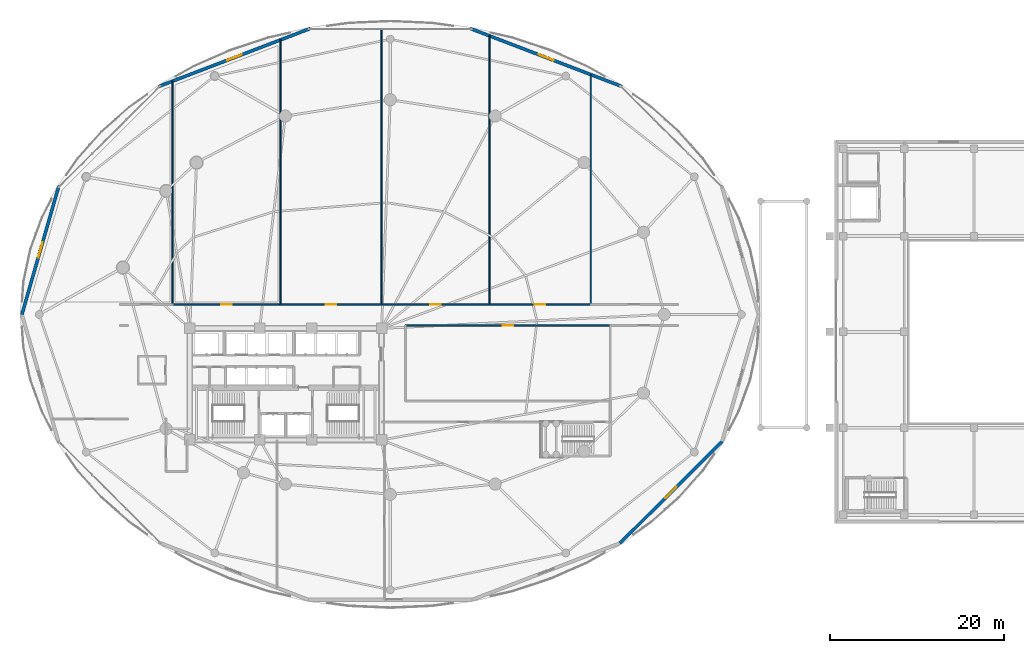
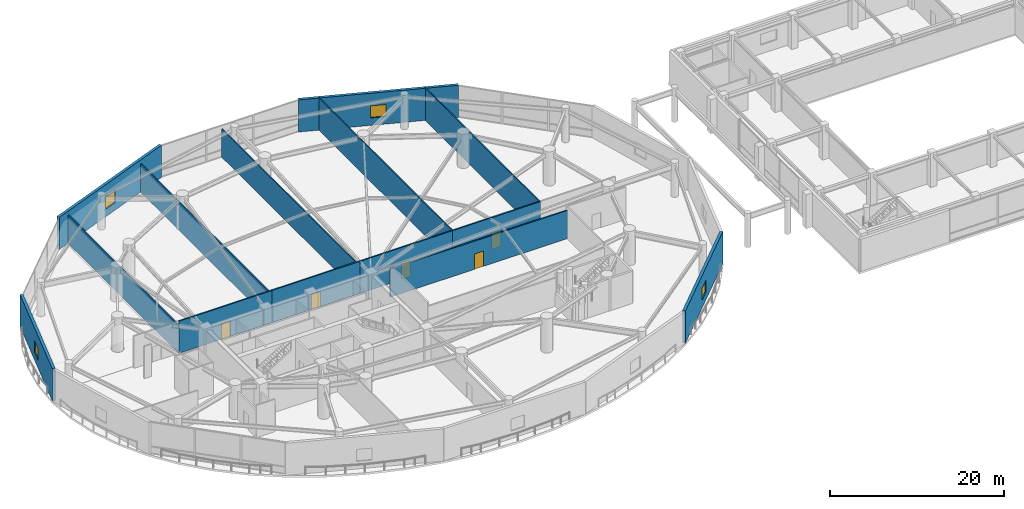
# One storey, part 29 of 40: 14 walls, 5 doors, 4 windows, 9 openings.
"""IFC4 building model written with IfcOpenShell, lengths in metres."""

import ifcopenshell
import ifcopenshell.guid

model = None  # the IFC model being written
_history = None  # IfcOwnerHistory: only IFC2X3 demands one
_inside = {}  # id of a spatial element -> (the spatial element, [elements in it])
_under = {}  # id of a project, library or spatial element -> (it, [spatial elements below it])
_declared = {}  # id of a project -> (the project, [libraries it declares])
_typed = {}  # id of a type object -> (the type object, [elements of that type])
_made_of = {}  # id of a material, layer set ... -> (it, [elements and type objects made of it])


def new_model(schema):
    """Start an empty IFC model of exactly this schema.

    Asked for "IFC4X3", IfcOpenShell would pick the latest addendum, in which some entities
    have other attributes; the version numbers below select the first issue.
    IFC2X3 requires an IfcOwnerHistory on every rooted entity: one is made here for all.
    """
    global model, _history
    if schema == "IFC4X3":
        model = ifcopenshell.file(schema_version=(4, 3, 0, 0))
    else:
        model = ifcopenshell.file(schema=schema)
    _inside.clear()
    _under.clear()
    _declared.clear()
    _typed.clear()
    _made_of.clear()
    _history = None
    if model.schema == "IFC2X3":
        org = make("IfcOrganization", Name="unknown")
        user = make(
            "IfcPersonAndOrganization",
            ThePerson=make("IfcPerson", FamilyName="unknown"),
            TheOrganization=org,
        )
        app = make(
            "IfcApplication",
            ApplicationDeveloper=org,
            Version="unknown",
            ApplicationFullName="unknown",
            ApplicationIdentifier="unknown",
        )
        _history = make(
            "IfcOwnerHistory",
            OwningUser=user,
            OwningApplication=app,
            ChangeAction="ADDED",
            CreationDate=0,
        )
    return model


def make(cls, **values):
    """One entity of the class cls with the attributes given. An attribute that is None is left unset."""
    return model.create_entity(
        cls, **{name: value for name, value in values.items() if value is not None}
    )


def rooted(cls, **values):
    """An entity with a GlobalId (a new one), such as an element, a storey or a relation."""
    return make(cls, GlobalId=ifcopenshell.guid.new(), OwnerHistory=_history, **values)


def si_unit(unit_type, name, prefix=None):
    """IfcSIUnit, for example si_unit("LENGTHUNIT", "METRE", prefix="MILLI")."""
    return make("IfcSIUnit", UnitType=unit_type, Prefix=prefix, Name=name)


def assignment(units):
    """IfcUnitAssignment: the units of a project."""
    return None if units is None else make("IfcUnitAssignment", Units=units)


def point(xyz):
    """IfcCartesianPoint."""
    return None if xyz is None else make("IfcCartesianPoint", Coordinates=xyz)


def direction(xyz):
    """IfcDirection."""
    return None if xyz is None else make("IfcDirection", DirectionRatios=xyz)


def frame(location, z_axis=None, x_axis=None):
    """IfcAxis2Placement3D, a coordinate frame: its origin and axes. An axis left out is left unset."""
    return make(
        "IfcAxis2Placement3D",
        Location=point(location),
        Axis=direction(z_axis),
        RefDirection=direction(x_axis),
    )


def frame_2d(location, x_axis=None):
    """IfcAxis2Placement2D, a coordinate frame in the plane: its origin and x axis."""
    return make(
        "IfcAxis2Placement2D", Location=point(location), RefDirection=direction(x_axis)
    )


def origin():
    """The frame at (0, 0, 0) with its axes left unset."""
    return frame((0.0, 0.0, 0.0))


def place(relative_to, where):
    """IfcLocalPlacement: puts the frame where relative to a parent placement (None: the world)."""
    return make(
        "IfcLocalPlacement", PlacementRelTo=relative_to, RelativePlacement=where
    )


def context(
    kind, dimensions, precision=None, world=None, true_north=None, identifier=None
):
    """IfcGeometricRepresentationContext, for example the 3D "Model" context."""
    return make(
        "IfcGeometricRepresentationContext",
        ContextIdentifier=identifier,
        ContextType=kind,
        CoordinateSpaceDimension=dimensions,
        Precision=precision,
        WorldCoordinateSystem=world,
        TrueNorth=true_north,
    )


def subcontext(parent, identifier, kind, view, scale=None):
    """IfcGeometricRepresentationSubContext, for example "Body" below "Model"."""
    return make(
        "IfcGeometricRepresentationSubContext",
        ContextIdentifier=identifier,
        ContextType=kind,
        ParentContext=parent,
        TargetScale=scale,
        TargetView=view,
    )


def project(units=None, contexts=None):
    """IfcProject with its units and contexts."""
    return rooted(
        "IfcProject",
        Name="project",
        RepresentationContexts=contexts,
        UnitsInContext=assignment(units),
    )


def spatial(cls, under=None, at=None, **own):
    """A site, building, storey or space (cls), placed at a placement, below another one or the project."""
    s = rooted(cls, ObjectPlacement=at, **own)
    if under is not None:
        _under.setdefault(under.id(), (under, []))[1].append(s)
    return s


def profile(cls, at=None, kind="AREA", **sizes):
    """A parametric profile (cls). Its sizes go by their IFC names, for example OverallWidth=200.0."""
    return make(cls, ProfileType=kind, Position=at, **sizes)


def rectangle(**sizes):
    """IfcRectangleProfileDef."""
    return profile("IfcRectangleProfileDef", **sizes)


def extrude(swept, where, along, depth):
    """IfcExtrudedAreaSolid: the profile swept, set in the frame where, extruded along a direction by depth."""
    return make(
        "IfcExtrudedAreaSolid",
        SweptArea=swept,
        Position=where,
        ExtrudedDirection=direction(along),
        Depth=depth,
    )


def shape(context_of_items, identifier, shape_type, items):
    """IfcShapeRepresentation: the items that make up one representation, for example the "Body"."""
    return make(
        "IfcShapeRepresentation",
        ContextOfItems=context_of_items,
        RepresentationIdentifier=identifier,
        RepresentationType=shape_type,
        Items=items,
    )


def material(Name=None, Category=None):
    """IfcMaterial."""
    return make("IfcMaterial", Name=Name, Category=Category)


def layer(
    of_material, thickness, ventilated=None, Name=None, Category=None, Priority=None
):
    """IfcMaterialLayer: one layer of a wall or slab, of a material (None: an air gap)."""
    return make(
        "IfcMaterialLayer",
        Material=of_material,
        LayerThickness=thickness,
        IsVentilated=ventilated,
        Name=Name,
        Category=Category,
        Priority=Priority,
    )


def layer_set(layers, Name=None):
    """IfcMaterialLayerSet."""
    return make("IfcMaterialLayerSet", MaterialLayers=layers, LayerSetName=Name)


def made_of(thing, what):
    """Note that an element or type object is made of a material, layer set ...; save() writes the relation."""
    if what is not None:
        _made_of.setdefault(what.id(), (what, []))[1].append(thing)
    return thing


def type_object(cls, material=None, **own):
    """A type object (cls), such as IfcWallType, which elements share."""
    return made_of(rooted(cls, **own), material)


def element(
    cls,
    number,
    at=None,
    inside=None,
    cuts=None,
    type_object=None,
    material=None,
    context=None,
    identifier="Body",
    shape_type=None,
    held_by="IfcProductDefinitionShape",
    body=None,
    shapes=None,
    **own,
):
    """One element of the class cls, such as IfcWall. Its Tag is "e" and its number.

    at: its placement. inside: the storey or other place that contains it. cuts: it is an
    opening in that element (IfcRelVoidsElement). A single representation is given by context,
    identifier, shape_type and body (its items); several are given by shapes. held_by: the class
    of the entity that holds the representations. save() writes the other relations.
    """
    e = rooted(cls, Tag="e%d" % number, ObjectPlacement=at, **own)
    if body is not None:
        shapes = [shape(context, identifier, shape_type, body)]
    if shapes is not None:
        e.Representation = make(held_by, Representations=shapes)
    if inside is not None:
        _inside.setdefault(inside.id(), (inside, []))[1].append(e)
    if cuts is not None:
        rooted(
            "IfcRelVoidsElement", RelatingBuildingElement=cuts, RelatedOpeningElement=e
        )
    if type_object is not None:
        _typed.setdefault(type_object.id(), (type_object, []))[1].append(e)
    return made_of(e, material)


def fill(opening, filler):
    """IfcRelFillsElement: the door or window that sits in an opening."""
    return rooted(
        "IfcRelFillsElement",
        RelatingOpeningElement=opening,
        RelatedBuildingElement=filler,
    )


def aggregate(whole, parts):
    """IfcRelAggregates: a whole, such as a stair, and the parts it consists of."""
    return rooted("IfcRelAggregates", RelatingObject=whole, RelatedObjects=parts)


def save(model, path):
    """Write the relations noted so far, then the file.

    IfcRelAggregates (storeys below a building ...), IfcRelContainedInSpatialStructure (elements
    in a storey), IfcRelDefinesByType, IfcRelAssociatesMaterial and IfcRelDeclares: one each for
    every whole, place, type object, material and project.
    """
    for whole, parts in _under.values():
        aggregate(whole, parts)
    for where, things in _inside.values():
        rooted(
            "IfcRelContainedInSpatialStructure",
            RelatedElements=things,
            RelatingStructure=where,
        )
    for kind, things in _typed.values():
        rooted("IfcRelDefinesByType", RelatedObjects=things, RelatingType=kind)
    for what, things in _made_of.values():
        rooted("IfcRelAssociatesMaterial", RelatedObjects=things, RelatingMaterial=what)
    for by, libraries in _declared.values():
        rooted("IfcRelDeclares", RelatingContext=by, RelatedDefinitions=libraries)
    model.write(path)


model = new_model("IFC4")

# Units and contexts
model_context = context("Model", 3, precision=1e-05, world=origin(), true_north=direction((0.0, 1.0)))
body_context = subcontext(model_context, "Body", "Model", "MODEL_VIEW")
ifc_project = project(units=[si_unit("LENGTHUNIT", "METRE"), si_unit("AREAUNIT", "SQUARE_METRE"), si_unit("VOLUMEUNIT", "CUBIC_METRE"), si_unit("PLANEANGLEUNIT", "RADIAN"), si_unit("MASSUNIT", "GRAM", prefix="KILO")], contexts=[model_context])

# Site, building, storey
site_placement = place(None, origin())
site = spatial("IfcSite", under=ifc_project, at=site_placement, CompositionType="ELEMENT")
building_placement = place(site_placement, origin())
building = spatial("IfcBuilding", under=site, at=building_placement, Name="Kazevale Care Tower and Concert Hall", CompositionType="ELEMENT")
storey_placement = place(building_placement, frame((0.0, 0.0, 9.60009765625)))
storey = spatial("IfcBuildingStorey", under=building, at=storey_placement, Name="L02", CompositionType="ELEMENT", Elevation=9.60009765625)

# Walls
ifc_material_1 = material(Name="Acoustic Gypsum on Steel Stud", Category="steel")
ifc_layer_1 = layer(ifc_material_1, 0.139892578125)
ifc_layer_set_1 = layer_set([ifc_layer_1], Name="Acoustic Gypsum on Steel Stud")
wall_type_1 = type_object("IfcWallType", Name="Acoustic Care & Suite Partition 140", PredefinedType="PARTITIONING", material=ifc_layer_set_1)
wall_1_placement = place(storey_placement, frame((20.0, 64.764404296875, 0.0), z_axis=(0.0, 0.0, 1.0), x_axis=(0.0, -1.0, 0.0)))
element("IfcWall", 1, at=wall_1_placement, inside=storey, type_object=wall_type_1, Name="wall:L02:auto_017", PredefinedType="PARTITIONING", context=body_context, shape_type="SweptSolid", body=[
    extrude(rectangle(XDim=25.66943359375, YDim=0.139892578125, at=frame_2d((12.834716796875, 0.0))), origin(), (0.0, 0.0, 1.0), 3.9658203125),
])
wall_2_placement = place(storey_placement, frame((32.39990234375, 69.507080078125, 0.0), z_axis=(0.0, 0.0, 1.0), x_axis=(0.0, -1.0, 0.0)))
element("IfcWall", 2, at=wall_2_placement, inside=storey, type_object=wall_type_1, Name="wall:L02:auto_018", PredefinedType="PARTITIONING", context=body_context, shape_type="SweptSolid", body=[
    extrude(rectangle(XDim=30.412109375, YDim=0.139892578125, at=frame_2d((15.2060546875, 0.0))), origin(), (0.0, 0.0, 1.0), 3.9658203125),
])
wall_3_placement = place(storey_placement, frame((44.0, 70.72802734375, 0.0), z_axis=(0.0, 0.0, 1.0), x_axis=(0.0, -1.0, 0.0)))
element("IfcWall", 3, at=wall_3_placement, inside=storey, type_object=wall_type_1, Name="wall:L02:auto_019", PredefinedType="PARTITIONING", context=body_context, shape_type="SweptSolid", body=[
    extrude(rectangle(XDim=31.633056640625, YDim=0.139892578125, at=frame_2d((15.81640625, 0.0))), origin(), (0.0, 0.0, 1.0), 3.9658203125),
])
wall_4_placement = place(storey_placement, frame((56.39990234375, 69.96630859375, 0.0), z_axis=(0.0, 0.0, 1.0), x_axis=(0.0, -1.0, 0.0)))
element("IfcWall", 4, at=wall_4_placement, inside=storey, type_object=wall_type_1, Name="wall:L02:auto_020", PredefinedType="PARTITIONING", context=body_context, shape_type="SweptSolid", body=[
    extrude(rectangle(XDim=30.871337890625, YDim=0.139892578125, at=frame_2d((15.435546875, 0.0))), origin(), (0.0, 0.0, 1.0), 4.52001953125),
])
wall_5_placement = place(storey_placement, frame((68.0, 65.529296875, 0.0), z_axis=(0.0, 0.0, 1.0), x_axis=(0.0, -1.0, 0.0)))
element("IfcWall", 5, at=wall_5_placement, inside=storey, type_object=wall_type_1, Name="wall:L02:auto_021", PredefinedType="PARTITIONING", context=body_context, shape_type="SweptSolid", body=[
    extrude(rectangle(XDim=26.434326171875, YDim=0.139892578125, at=frame_2d((13.21728515625, 0.0))), origin(), (0.0, 0.0, 1.0), 4.52001953125),
])

# Wall, opening, door
ifc_material_2 = material(Name="Concrete C40 and Acoustic Gypsum", Category="concrete")
ifc_layer_2 = layer(ifc_material_2, 0.179931640625)
ifc_layer_set_2 = layer_set([ifc_layer_2], Name="Concrete C40 and Acoustic Gypsum")
wall_type_2 = type_object("IfcWallType", Name="Fire-Rated Corridor & Party Wall 180", PredefinedType="PARTITIONING", material=ifc_layer_set_2)
wall_6_placement = place(storey_placement, frame((19.93505859375, 39.125, 0.0), z_axis=(0.0, 0.0, 1.0), x_axis=(1.0, 0.0, 0.0)))
wall_6 = element("IfcWall", 6, at=wall_6_placement, inside=storey, type_object=wall_type_2, Name="wall:L02:auto_002", PredefinedType="PARTITIONING", context=body_context, shape_type="SweptSolid", body=[
    extrude(rectangle(XDim=12.530029296875, YDim=0.179931640625, at=frame_2d((6.26513671875, 0.0))), origin(), (0.0, 0.0, 1.0), 4.52001953125),
])
opening_1_placement = place(wall_6_placement, frame((5.6650390625, 0.0, 0.0)))
opening_1 = element("IfcOpeningElement", 7, at=opening_1_placement, cuts=wall_6, Name="Opening ID-1200", PredefinedType="OPENING", context=body_context, shape_type="SweptSolid", body=[
    extrude(rectangle(XDim=1.199951171875, YDim=2.14990234375, at=frame_2d((0.60009765625, 1.074951171875))), frame((0.0, 0.099853515625, 0.0), z_axis=(0.0, -1.0, 0.0), x_axis=(1.0, 0.0, 0.0)), (0.0, 0.0, 1.0), 0.199951171875),
])
ifc_material_3 = material(Name="Oak Timber Fire Leaf", Category="wood")
door_type = type_object("IfcDoorType", Name="Clinical & Therapy Door 1200x2150", OperationType="NOTDEFINED", PredefinedType="DOOR", material=ifc_material_3)
door_1_placement = place(opening_1_placement, origin())
door_1 = element("IfcDoor", 8, at=door_1_placement, inside=storey, type_object=door_type, Name="door:L02:ad_002", OperationType="SINGLE_SWING_LEFT", OverallHeight=2.14990234375, OverallWidth=1.199951171875, PredefinedType="DOOR", context=body_context, shape_type="SweptSolid", body=[
    extrude(rectangle(XDim=1.199951171875, YDim=2.14990234375, at=frame_2d((0.60009765625, 1.074951171875))), frame((0.0, 0.02490234375, 0.0), z_axis=(0.0, -1.0, 0.0), x_axis=(1.0, 0.0, 0.0)), (0.0, 0.0, 1.0), 0.050048828125),
])
fill(opening_1, door_1)

wall_7_placement = place(storey_placement, frame((32.3349609375, 39.125, 0.0), z_axis=(0.0, 0.0, 1.0), x_axis=(1.0, 0.0, 0.0)))
wall_7 = element("IfcWall", 9, at=wall_7_placement, inside=storey, type_object=wall_type_2, Name="wall:L02:auto_003", PredefinedType="PARTITIONING", context=body_context, shape_type="SweptSolid", body=[
    extrude(rectangle(XDim=11.72998046875, YDim=0.179931640625, at=frame_2d((5.864990234375, 0.0))), origin(), (0.0, 0.0, 1.0), 4.52001953125),
])
opening_2_placement = place(wall_7_placement, frame((5.264892578125, 0.0, 0.0)))
opening_2 = element("IfcOpeningElement", 10, at=opening_2_placement, cuts=wall_7, Name="Opening ID-1200", PredefinedType="OPENING", context=body_context, shape_type="SweptSolid", body=[
    extrude(rectangle(XDim=1.199951171875, YDim=2.14990234375, at=frame_2d((0.60009765625, 1.074951171875))), frame((0.0, 0.099853515625, 0.0), z_axis=(0.0, -1.0, 0.0), x_axis=(1.0, 0.0, 0.0)), (0.0, 0.0, 1.0), 0.199951171875),
])
door_2_placement = place(opening_2_placement, origin())
door_2 = element("IfcDoor", 11, at=door_2_placement, inside=storey, type_object=door_type, Name="door:L02:ad_003", OperationType="SINGLE_SWING_LEFT", OverallHeight=2.14990234375, OverallWidth=1.199951171875, PredefinedType="DOOR", context=body_context, shape_type="SweptSolid", body=[
    extrude(rectangle(XDim=1.199951171875, YDim=2.14990234375, at=frame_2d((0.60009765625, 1.074951171875))), frame((0.0, 0.02490234375, 0.0), z_axis=(0.0, -1.0, 0.0), x_axis=(1.0, 0.0, 0.0)), (0.0, 0.0, 1.0), 0.050048828125),
])
fill(opening_2, door_2)

wall_8_placement = place(storey_placement, frame((43.93505859375, 39.125, 0.0), z_axis=(0.0, 0.0, 1.0), x_axis=(1.0, 0.0, 0.0)))
wall_8 = element("IfcWall", 12, at=wall_8_placement, inside=storey, type_object=wall_type_2, Name="wall:L02:auto_004", PredefinedType="PARTITIONING", context=body_context, shape_type="SweptSolid", body=[
    extrude(rectangle(XDim=12.530029296875, YDim=0.179931640625, at=frame_2d((6.26513671875, 0.0))), origin(), (0.0, 0.0, 1.0), 4.52001953125),
])
opening_3_placement = place(wall_8_placement, frame((5.6650390625, 0.0, 0.0)))
opening_3 = element("IfcOpeningElement", 13, at=opening_3_placement, cuts=wall_8, Name="Opening ID-1200", PredefinedType="OPENING", context=body_context, shape_type="SweptSolid", body=[
    extrude(rectangle(XDim=1.199951171875, YDim=2.14990234375, at=frame_2d((0.60009765625, 1.074951171875))), frame((0.0, 0.099853515625, 0.0), z_axis=(0.0, -1.0, 0.0), x_axis=(1.0, 0.0, 0.0)), (0.0, 0.0, 1.0), 0.199951171875),
])
door_3_placement = place(opening_3_placement, origin())
door_3 = element("IfcDoor", 14, at=door_3_placement, inside=storey, type_object=door_type, Name="door:L02:ad_004", OperationType="SINGLE_SWING_LEFT", OverallHeight=2.14990234375, OverallWidth=1.199951171875, PredefinedType="DOOR", context=body_context, shape_type="SweptSolid", body=[
    extrude(rectangle(XDim=1.199951171875, YDim=2.14990234375, at=frame_2d((0.60009765625, 1.074951171875))), frame((0.0, 0.02490234375, 0.0), z_axis=(0.0, -1.0, 0.0), x_axis=(1.0, 0.0, 0.0)), (0.0, 0.0, 1.0), 0.050048828125),
])
fill(opening_3, door_3)

wall_9_placement = place(storey_placement, frame((56.3349609375, 39.125, 0.0), z_axis=(0.0, 0.0, 1.0), x_axis=(1.0, 0.0, 0.0)))
wall_9 = element("IfcWall", 15, at=wall_9_placement, inside=storey, type_object=wall_type_2, Name="wall:L02:auto_005", PredefinedType="PARTITIONING", context=body_context, shape_type="SweptSolid", body=[
    extrude(rectangle(XDim=11.72998046875, YDim=0.179931640625, at=frame_2d((5.864990234375, 0.0))), origin(), (0.0, 0.0, 1.0), 4.52001953125),
])
opening_4_placement = place(wall_9_placement, frame((5.264892578125, 0.0, 0.0)))
opening_4 = element("IfcOpeningElement", 16, at=opening_4_placement, cuts=wall_9, Name="Opening ID-1200", PredefinedType="OPENING", context=body_context, shape_type="SweptSolid", body=[
    extrude(rectangle(XDim=1.199951171875, YDim=2.14990234375, at=frame_2d((0.60009765625, 1.074951171875))), frame((0.0, 0.099853515625, 0.0), z_axis=(0.0, -1.0, 0.0), x_axis=(1.0, 0.0, 0.0)), (0.0, 0.0, 1.0), 0.199951171875),
])
door_4_placement = place(opening_4_placement, origin())
door_4 = element("IfcDoor", 17, at=door_4_placement, inside=storey, type_object=door_type, Name="door:L02:ad_005", OperationType="SINGLE_SWING_LEFT", OverallHeight=2.14990234375, OverallWidth=1.199951171875, PredefinedType="DOOR", context=body_context, shape_type="SweptSolid", body=[
    extrude(rectangle(XDim=1.199951171875, YDim=2.14990234375, at=frame_2d((0.60009765625, 1.074951171875))), frame((0.0, 0.02490234375, 0.0), z_axis=(0.0, -1.0, 0.0), x_axis=(1.0, 0.0, 0.0)), (0.0, 0.0, 1.0), 0.050048828125),
])
fill(opening_4, door_4)

wall_10_placement = place(storey_placement, frame((70.31494140625, 36.72509765625, 0.0), z_axis=(0.0, 0.0, 1.0), x_axis=(-1.0, 0.0, 0.0)))
wall_10 = element("IfcWall", 18, at=wall_10_placement, inside=storey, type_object=wall_type_2, Name="wall:L02:auto_008", PredefinedType="PARTITIONING", context=body_context, shape_type="SweptSolid", body=[
    extrude(rectangle(XDim=23.619873046875, YDim=0.179931640625, at=frame_2d((11.81005859375, 0.0))), origin(), (0.0, 0.0, 1.0), 3.9658203125),
])
opening_5_placement = place(wall_10_placement, frame((11.2099609375, 0.0, 0.0)))
opening_5 = element("IfcOpeningElement", 19, at=opening_5_placement, cuts=wall_10, Name="Opening ID-1200", PredefinedType="OPENING", context=body_context, shape_type="SweptSolid", body=[
    extrude(rectangle(XDim=1.199951171875, YDim=2.14990234375, at=frame_2d((0.60009765625, 1.074951171875))), frame((0.0, 0.099853515625, 0.0), z_axis=(0.0, -1.0, 0.0), x_axis=(1.0, 0.0, 0.0)), (0.0, 0.0, 1.0), 0.199951171875),
])
door_5_placement = place(opening_5_placement, origin())
door_5 = element("IfcDoor", 20, at=door_5_placement, inside=storey, type_object=door_type, Name="door:L02:ad_008", OperationType="SINGLE_SWING_LEFT", OverallHeight=2.14990234375, OverallWidth=1.199951171875, PredefinedType="DOOR", context=body_context, shape_type="SweptSolid", body=[
    extrude(rectangle(XDim=1.199951171875, YDim=2.14990234375, at=frame_2d((0.60009765625, 1.074951171875))), frame((0.0, 0.02490234375, 0.0), z_axis=(0.0, -1.0, 0.0), x_axis=(1.0, 0.0, 0.0)), (0.0, 0.0, 1.0), 0.050048828125),
])
fill(opening_5, door_5)

# Wall, opening, window
ifc_material_4 = material(Name="Concrete C40 with Honed Limestone Cladding", Category="masonry")
ifc_layer_3 = layer(ifc_material_4, 0.360107421875)
ifc_layer_set_3 = layer_set([ifc_layer_3], Name="Concrete C40 with Honed Limestone Cladding")
wall_type_3 = type_object("IfcWallType", Name="Podium Insulated Limestone Wall 360", PredefinedType="STANDARD", material=ifc_layer_set_3)
wall_11_placement = place(storey_placement, frame((71.60400390625, 64.160888671875, 0.0), z_axis=(0.0, 0.0, 1.0), x_axis=(-0.934010262022, 0.357246176238, 0.0)))
wall_11 = element("IfcWall", 21, at=wall_11_placement, inside=storey, type_object=wall_type_3, Name="wall:L02:podew:03", PredefinedType="STANDARD", context=body_context, shape_type="SweptSolid", body=[
    extrude(rectangle(XDim=18.671142578125, YDim=0.360107421875, at=frame_2d((9.33544921875, 0.0))), origin(), (0.0, 0.0, 1.0), 4.52001953125),
])
opening_6_placement = place(wall_11_placement, frame((8.43603515625, 0.0, 1.050048828125)))
opening_6 = element("IfcOpeningElement", 22, at=opening_6_placement, cuts=wall_11, Name="Opening WIN-2", PredefinedType="OPENING", context=body_context, shape_type="SweptSolid", body=[
    extrude(rectangle(XDim=1.800048828125, YDim=1.699951171875, at=frame_2d((0.89990234375, 0.85009765625))), frame((0.0, 0.18994140625, 0.0), z_axis=(0.0, -1.0, 0.0), x_axis=(1.0, 0.0, 0.0)), (0.0, 0.0, 1.0), 0.380126953125),
])
ifc_material_5 = material(Name="Low-E Laminated Glass", Category="glass")
window_type = type_object("IfcWindowType", Name="Clinical Punched Window 1800x1700", PartitioningType="DOUBLE_PANEL_VERTICAL", PredefinedType="WINDOW", material=ifc_material_5)
window_1_placement = place(opening_6_placement, origin())
window_1 = element("IfcWindow", 23, at=window_1_placement, inside=storey, type_object=window_type, Name="win:L02:pod:03", OverallHeight=1.699951171875, OverallWidth=1.800048828125, PartitioningType="SINGLE_PANEL", PredefinedType="WINDOW", context=body_context, shape_type="SweptSolid", body=[
    extrude(rectangle(XDim=1.800048828125, YDim=1.699951171875, at=frame_2d((0.89990234375, 0.85009765625))), frame((0.0, 0.030029296875, 0.0), z_axis=(0.0, -1.0, 0.0), x_axis=(1.0, 0.0, 0.0)), (0.0, 0.0, 1.0), 0.06005859375),
])
fill(opening_6, window_1)

wall_12_placement = place(storey_placement, frame((35.8349609375, 70.8310546875, 0.0), z_axis=(0.0, 0.0, 1.0), x_axis=(-0.934010262022, -0.357246176238, 0.0)))
wall_12 = element("IfcWall", 24, at=wall_12_placement, inside=storey, type_object=wall_type_3, Name="wall:L02:podew:05", PredefinedType="STANDARD", context=body_context, shape_type="SweptSolid", body=[
    extrude(rectangle(XDim=18.671142578125, YDim=0.360107421875, at=frame_2d((9.33544921875, 0.0))), origin(), (0.0, 0.0, 1.0), 4.52001953125),
])
opening_7_placement = place(wall_12_placement, frame((8.43603515625, 0.0, 1.050048828125)))
opening_7 = element("IfcOpeningElement", 25, at=opening_7_placement, cuts=wall_12, Name="Opening WIN-2", PredefinedType="OPENING", context=body_context, shape_type="SweptSolid", body=[
    extrude(rectangle(XDim=1.800048828125, YDim=1.699951171875, at=frame_2d((0.89990234375, 0.85009765625))), frame((0.0, 0.18994140625, 0.0), z_axis=(0.0, -1.0, 0.0), x_axis=(1.0, 0.0, 0.0)), (0.0, 0.0, 1.0), 0.380126953125),
])
window_2_placement = place(opening_7_placement, origin())
window_2 = element("IfcWindow", 26, at=window_2_placement, inside=storey, type_object=window_type, Name="win:L02:pod:05", OverallHeight=1.699951171875, OverallWidth=1.800048828125, PartitioningType="SINGLE_PANEL", PredefinedType="WINDOW", context=body_context, shape_type="SweptSolid", body=[
    extrude(rectangle(XDim=1.800048828125, YDim=1.699951171875, at=frame_2d((0.89990234375, 0.85009765625))), frame((0.0, 0.030029296875, 0.0), z_axis=(0.0, -1.0, 0.0), x_axis=(1.0, 0.0, 0.0)), (0.0, 0.0, 1.0), 0.06005859375),
])
fill(opening_7, window_2)

wall_13_placement = place(storey_placement, frame((6.97900390625, 52.820068359375, 0.0), z_axis=(0.0, 0.0, 1.0), x_axis=(-0.276203409751, -0.961099202186, 0.0)))
wall_13 = element("IfcWall", 27, at=wall_13_placement, inside=storey, type_object=wall_type_3, Name="wall:L02:podew:07", PredefinedType="STANDARD", context=body_context, shape_type="SweptSolid", body=[
    extrude(rectangle(XDim=15.419921875, YDim=0.360107421875, at=frame_2d((7.7099609375, 0.0))), origin(), (0.0, 0.0, 1.0), 4.52001953125),
])
opening_8_placement = place(wall_13_placement, frame((6.81005859375, 0.0, 1.050048828125)))
opening_8 = element("IfcOpeningElement", 28, at=opening_8_placement, cuts=wall_13, Name="Opening WIN-2", PredefinedType="OPENING", context=body_context, shape_type="SweptSolid", body=[
    extrude(rectangle(XDim=1.800048828125, YDim=1.699951171875, at=frame_2d((0.89990234375, 0.85009765625))), frame((0.0, 0.18994140625, 0.0), z_axis=(0.0, -1.0, 0.0), x_axis=(1.0, 0.0, 0.0)), (0.0, 0.0, 1.0), 0.380126953125),
])
window_3_placement = place(opening_8_placement, origin())
window_3 = element("IfcWindow", 29, at=window_3_placement, inside=storey, type_object=window_type, Name="win:L02:pod:07", OverallHeight=1.699951171875, OverallWidth=1.800048828125, PartitioningType="SINGLE_PANEL", PredefinedType="WINDOW", context=body_context, shape_type="SweptSolid", body=[
    extrude(rectangle(XDim=1.800048828125, YDim=1.699951171875, at=frame_2d((0.89990234375, 0.85009765625))), frame((0.0, 0.030029296875, 0.0), z_axis=(0.0, -1.0, 0.0), x_axis=(1.0, 0.0, 0.0)), (0.0, 0.0, 1.0), 0.06005859375),
])
fill(opening_8, window_3)

wall_14_placement = place(storey_placement, frame((71.361083984375, 11.74609375, 0.0), z_axis=(0.0, 0.0, 1.0), x_axis=(0.708557675059, 0.705652904135, 0.0)))
wall_14 = element("IfcWall", 30, at=wall_14_placement, inside=storey, type_object=wall_type_3, Name="wall:L02:podew:13", PredefinedType="STANDARD", context=body_context, shape_type="SweptSolid", body=[
    extrude(rectangle(XDim=16.557373046875, YDim=0.360107421875, at=frame_2d((8.27880859375, 0.0))), origin(), (0.0, 0.0, 1.0), 4.52001953125),
])
opening_9_placement = place(wall_14_placement, frame((7.37890625, 0.0, 1.050048828125)))
opening_9 = element("IfcOpeningElement", 31, at=opening_9_placement, cuts=wall_14, Name="Opening WIN-2", PredefinedType="OPENING", context=body_context, shape_type="SweptSolid", body=[
    extrude(rectangle(XDim=1.800048828125, YDim=1.699951171875, at=frame_2d((0.89990234375, 0.85009765625))), frame((0.0, 0.18994140625, 0.0), z_axis=(0.0, -1.0, 0.0), x_axis=(1.0, 0.0, 0.0)), (0.0, 0.0, 1.0), 0.380126953125),
])
window_4_placement = place(opening_9_placement, origin())
window_4 = element("IfcWindow", 32, at=window_4_placement, inside=storey, type_object=window_type, Name="win:L02:pod:13", OverallHeight=1.699951171875, OverallWidth=1.800048828125, PartitioningType="SINGLE_PANEL", PredefinedType="WINDOW", context=body_context, shape_type="SweptSolid", body=[
    extrude(rectangle(XDim=1.800048828125, YDim=1.699951171875, at=frame_2d((0.89990234375, 0.85009765625))), frame((0.0, 0.030029296875, 0.0), z_axis=(0.0, -1.0, 0.0), x_axis=(1.0, 0.0, 0.0)), (0.0, 0.0, 1.0), 0.06005859375),
])
fill(opening_9, window_4)

save(model, "model.ifc")
